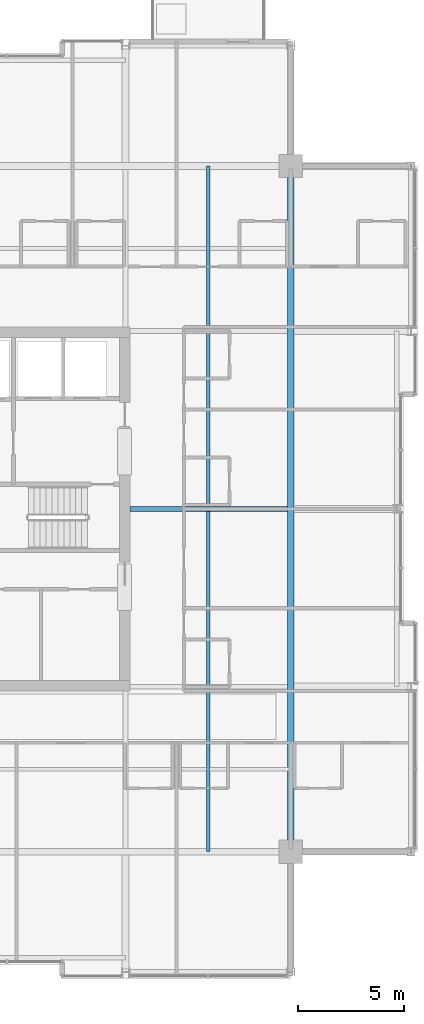
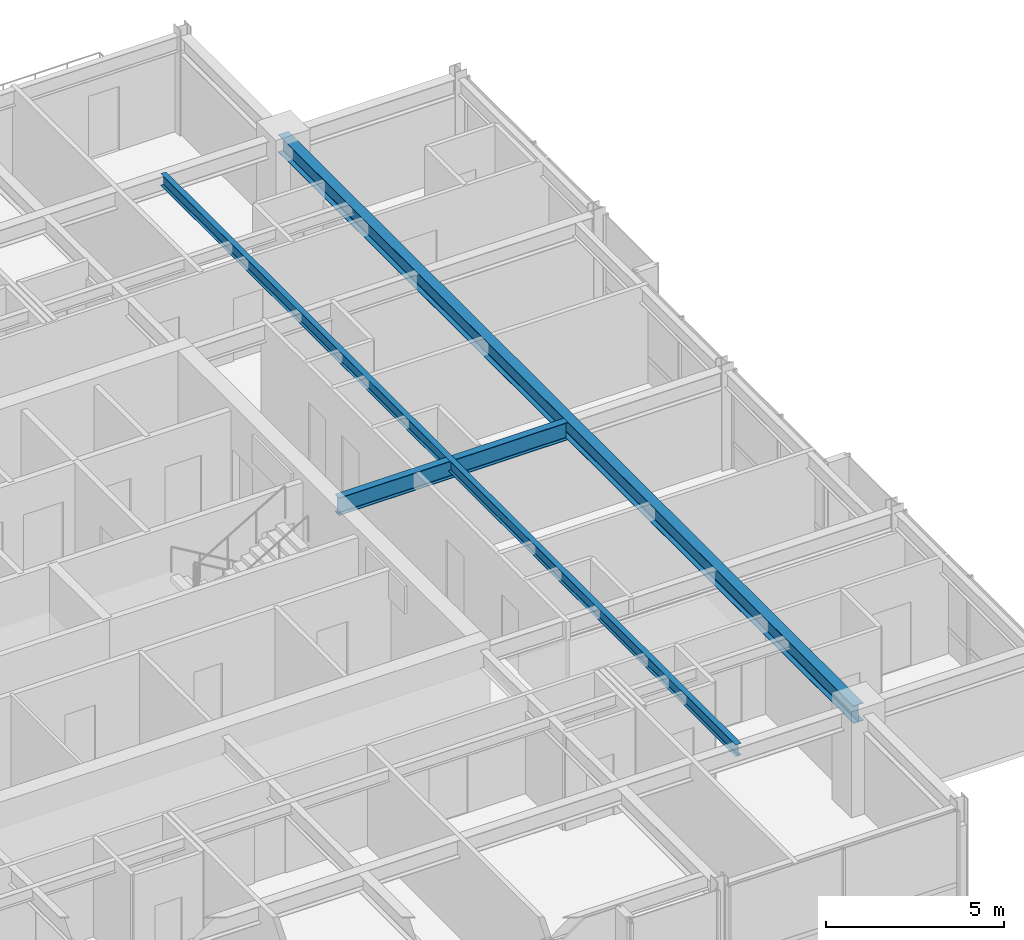
# One storey, part 17 of 33: 3 beams.
"""IFC4 building model written with IfcOpenShell, lengths in metres."""

from ifc_helpers import new_model, si_unit, direction, frame, origin, origin_2d, place, context, subcontext, project, spatial, i_section, extrude, material, material_profile, profile_set, type_object, element, save


model = new_model("IFC4")

# Units and contexts
model_context = context("Model", 3, precision=1e-05, world=origin(), true_north=direction((0.0, 1.0)))
body_context = subcontext(model_context, "Body", "Model", "MODEL_VIEW")
ifc_project = project(units=[si_unit("LENGTHUNIT", "METRE"), si_unit("AREAUNIT", "SQUARE_METRE"), si_unit("VOLUMEUNIT", "CUBIC_METRE"), si_unit("PLANEANGLEUNIT", "RADIAN"), si_unit("MASSUNIT", "GRAM", prefix="KILO")], contexts=[model_context])

# Site, building, storey
site_placement = place(None, origin())
site = spatial("IfcSite", under=ifc_project, at=site_placement, CompositionType="ELEMENT")
building_placement = place(site_placement, origin())
building = spatial("IfcBuilding", under=site, at=building_placement, Name="Drelvath Grand Hotel", CompositionType="ELEMENT")
storey_placement = place(building_placement, frame((0.0, 0.0, 268.64990234375)))
storey = spatial("IfcBuildingStorey", under=building, at=storey_placement, Name="L70", CompositionType="ELEMENT", Elevation=268.64990234375)

# Beams
ifc_material = material(Name="Steel ASTM A992 Gr 50", Category="steel")
ifc_material_profile_1 = material_profile(ifc_material, i_section(OverallWidth=0.177734375, OverallDepth=0.40673828125, WebThickness=0.0078125, FlangeThickness=0.0126953125, FilletRadius=0.014892578125, at=origin_2d()), Name="W16X40")
ifc_profile_set_1 = profile_set([ifc_material_profile_1], Name="Steel ASTM A992 Gr 50")
beam_type_1 = type_object("IfcBeamType", Name="Composite Floor Joist W16X40", PredefinedType="JOIST", material=ifc_profile_set_1)
beam_1_placement = place(storey_placement, frame((12.300048828125, 10.800048828125, 3.186767578125), z_axis=(0.0, 1.0, 0.0), x_axis=(-1.0, 0.0, 0.0)))
element("IfcBeam", 1, at=beam_1_placement, inside=storey, type_object=beam_type_1, Name="L70 Wing Floor Joist J4", PredefinedType="JOIST", context=body_context, shape_type="SweptSolid", body=[
    extrude(i_section(OverallWidth=0.177734375, OverallDepth=0.40673828125, WebThickness=0.0078125, FlangeThickness=0.0126953125, FilletRadius=0.014892578125, at=origin_2d()), origin(), (0.0, 0.0, 1.0), 32.39990234375),
])
ifc_material_profile_2 = material_profile(ifc_material, i_section(OverallWidth=0.323974609375, OverallDepth=0.611083984375, WebThickness=0.0126953125, FlangeThickness=0.01904296875, FilletRadius=0.02197265625, at=origin_2d()), Name="W24X104")
ifc_profile_set_2 = profile_set([ifc_material_profile_2], Name="Steel ASTM A992 Gr 50")
beam_type_2 = type_object("IfcBeamType", Name="Primary Floor Girder W24X104", PredefinedType="BEAM", material=ifc_profile_set_2)
beam_2_placement = place(storey_placement, frame((16.199951171875, 10.800048828125, 3.084716796875), z_axis=(0.0, 1.0, 0.0), x_axis=(-1.0, 0.0, 0.0)))
element("IfcBeam", 2, at=beam_2_placement, inside=storey, type_object=beam_type_2, Name="L70 Mega Ring Girder East", PredefinedType="BEAM", context=body_context, shape_type="SweptSolid", body=[
    extrude(i_section(OverallWidth=0.323974609375, OverallDepth=0.611083984375, WebThickness=0.0126953125, FlangeThickness=0.01904296875, FilletRadius=0.02197265625, at=origin_2d()), origin(), (0.0, 0.0, 1.0), 32.39990234375),
])
ifc_material_profile_3 = material_profile(ifc_material, i_section(OverallWidth=0.228271484375, OverallDepth=0.607666015625, WebThickness=0.01123046875, FlangeThickness=0.017333984375, FilletRadius=0.02001953125, at=origin_2d()), Name="W24X76")
ifc_profile_set_3 = profile_set([ifc_material_profile_3], Name="Steel ASTM A992 Gr 50")
beam_type_3 = type_object("IfcBeamType", Name="Primary Floor Girder W24X76", PredefinedType="BEAM", material=ifc_profile_set_3)
beam_3_placement = place(storey_placement, frame((8.60009765625, 27.0, 3.086181640625), z_axis=(1.0, 0.0, 0.0), x_axis=(0.0, 1.0, 0.0)))
element("IfcBeam", 3, at=beam_3_placement, inside=storey, type_object=beam_type_3, Name="L70 East Core Tie E", PredefinedType="BEAM", context=body_context, shape_type="SweptSolid", body=[
    extrude(i_section(OverallWidth=0.228271484375, OverallDepth=0.607666015625, WebThickness=0.01123046875, FlangeThickness=0.017333984375, FilletRadius=0.02001953125, at=origin_2d()), origin(), (0.0, 0.0, 1.0), 7.43798828125),
])

save(model, "model.ifc")
